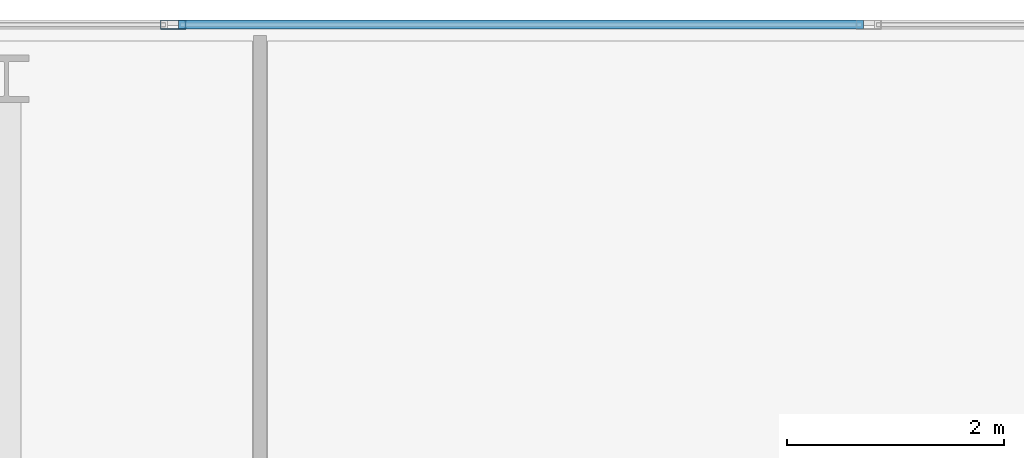
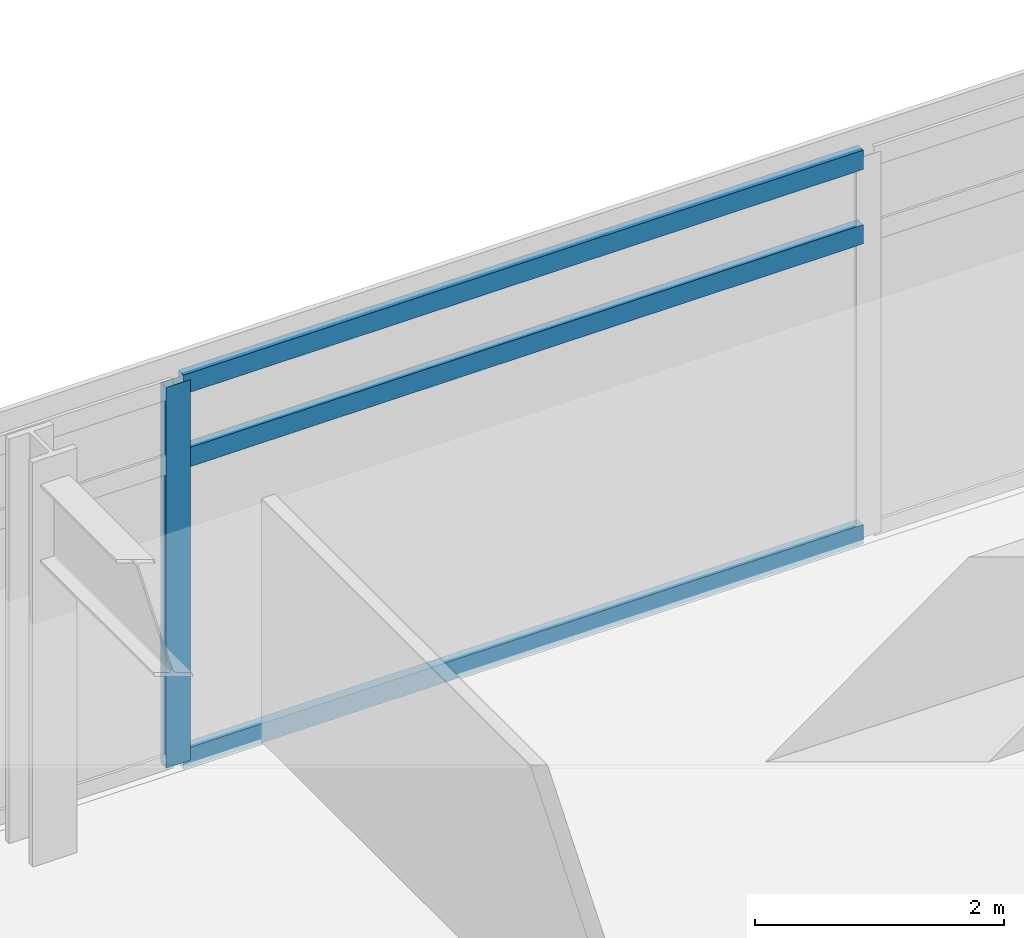
# One storey, part 8 of 23: 4 members, 1 element without a shape of its own.
"""IFC4 building model written with IfcOpenShell, lengths in metres."""

from ifc_helpers import new_model, si_unit, direction, frame, origin, origin_2d, place, context, subcontext, project, spatial, hollow_rectangle, extrude, material, material_profile, profile_set, type_object, element, aggregate, save


model = new_model("IFC4")

# Units and contexts
model_context = context("Model", 3, precision=1e-05, world=origin(), true_north=direction((0.0, 1.0)))
body_context = subcontext(model_context, "Body", "Model", "MODEL_VIEW")
ifc_project = project(units=[si_unit("LENGTHUNIT", "METRE"), si_unit("AREAUNIT", "SQUARE_METRE"), si_unit("VOLUMEUNIT", "CUBIC_METRE"), si_unit("PLANEANGLEUNIT", "RADIAN"), si_unit("MASSUNIT", "GRAM", prefix="KILO")], contexts=[model_context])

# Site, building, storey
site_placement = place(None, origin())
site = spatial("IfcSite", under=ifc_project, at=site_placement, CompositionType="ELEMENT")
building_placement = place(site_placement, origin())
building = spatial("IfcBuilding", under=site, at=building_placement, Name="Kovane Verandah Tower", CompositionType="ELEMENT")
storey_placement = place(building_placement, frame((0.0, 0.0, 136.39990234375)))
storey = spatial("IfcBuildingStorey", under=building, at=storey_placement, Name="L31", CompositionType="ELEMENT", Elevation=136.39990234375)

# Curtain wall, members
ifc_material_1 = material(Name="Champagne Anodised Aluminium Frame with Low-E Clear Laminated Glass", Category="aluminium")
curtain_wall_type = type_object("IfcCurtainWallType", Name="CW-SYS-03-MID", PredefinedType="NOTDEFINED", material=ifc_material_1)
curtain_wall_placement = place(storey_placement, origin())
curtain_wall = element("IfcCurtainWall", 1, at=curtain_wall_placement, inside=storey, type_object=curtain_wall_type, Name="L31 N Unitised Curtain Wall", PredefinedType="NOTDEFINED")
ifc_material_2 = material(Name="Champagne Anodised Aluminium 6063-T6", Category="aluminium")
ifc_material_profile_1 = material_profile(ifc_material_2, hollow_rectangle(XDim=0.0849609375, YDim=0.22998046875, WallThickness=0.00390625, at=origin_2d()), Name="AL85x230x4")
ifc_profile_set_1 = profile_set([ifc_material_profile_1], Name="Champagne Anodised Aluminium 6063-T6")
member_type_1 = type_object("IfcMemberType", Name="CW-MUL-85x230", PredefinedType="MULLION", material=ifc_profile_set_1)
member_1_placement = place(storey_placement, frame((30.535400390625, 50.00048828125, 0.02001953125), z_axis=(0.0, 0.0, 1.0), x_axis=(0.0, 1.0, 0.0)))
member_1 = element("IfcMember", 2, at=member_1_placement, type_object=member_type_1, Name="L31 N Unitised Curtain Wall Mullion 6", PredefinedType="MULLION", context=body_context, shape_type="SweptSolid", body=[
    extrude(hollow_rectangle(XDim=0.0849609375, YDim=0.22998046875, WallThickness=0.00390625, at=origin_2d()), origin(), (0.0, 0.0, 1.0), 3.735107421875),
])
ifc_material_profile_2 = material_profile(ifc_material_2, hollow_rectangle(XDim=0.0849609375, YDim=0.18994140625, WallThickness=0.00390625, at=origin_2d()), Name="AL85x190x4")
ifc_profile_set_2 = profile_set([ifc_material_profile_2], Name="Champagne Anodised Aluminium 6063-T6")
member_type_2 = type_object("IfcMemberType", Name="CW-TRN-85x190", PredefinedType="USERDEFINED", material=ifc_profile_set_2)
member_2_placement = place(storey_placement, frame((36.896240234375, 50.00048828125, 0.050048828125), z_axis=(-1.0, 0.0, 0.0), x_axis=(0.0, -1.0, 0.0)))
member_2 = element("IfcMember", 3, at=member_2_placement, type_object=member_type_2, Name="L31 N Unitised Curtain Wall Transom TB Bay 5", ObjectType="TRANSOM", PredefinedType="USERDEFINED", context=body_context, shape_type="SweptSolid", body=[
    extrude(hollow_rectangle(XDim=0.0849609375, YDim=0.18994140625, WallThickness=0.00390625, at=origin_2d()), origin(), (0.0, 0.0, 1.0), 6.31103515625),
])
member_3_placement = place(storey_placement, frame((36.896240234375, 50.00048828125, 2.9951171875), z_axis=(-1.0, 0.0, 0.0), x_axis=(0.0, -1.0, 0.0)))
member_3 = element("IfcMember", 4, at=member_3_placement, type_object=member_type_2, Name="L31 N Unitised Curtain Wall Transom TM Bay 5", ObjectType="TRANSOM", PredefinedType="USERDEFINED", context=body_context, shape_type="SweptSolid", body=[
    extrude(hollow_rectangle(XDim=0.0849609375, YDim=0.18994140625, WallThickness=0.00390625, at=origin_2d()), origin(), (0.0, 0.0, 1.0), 6.31103515625),
])
member_4_placement = place(storey_placement, frame((36.896240234375, 50.00048828125, 3.72509765625), z_axis=(-1.0, 0.0, 0.0), x_axis=(0.0, -1.0, 0.0)))
member_4 = element("IfcMember", 5, at=member_4_placement, type_object=member_type_2, Name="L31 N Unitised Curtain Wall Transom TT Bay 5", ObjectType="TRANSOM", PredefinedType="USERDEFINED", context=body_context, shape_type="SweptSolid", body=[
    extrude(hollow_rectangle(XDim=0.0849609375, YDim=0.18994140625, WallThickness=0.00390625, at=origin_2d()), origin(), (0.0, 0.0, 1.0), 6.31103515625),
])
aggregate(curtain_wall, [member_1, member_2, member_3, member_4])

save(model, "model.ifc")
